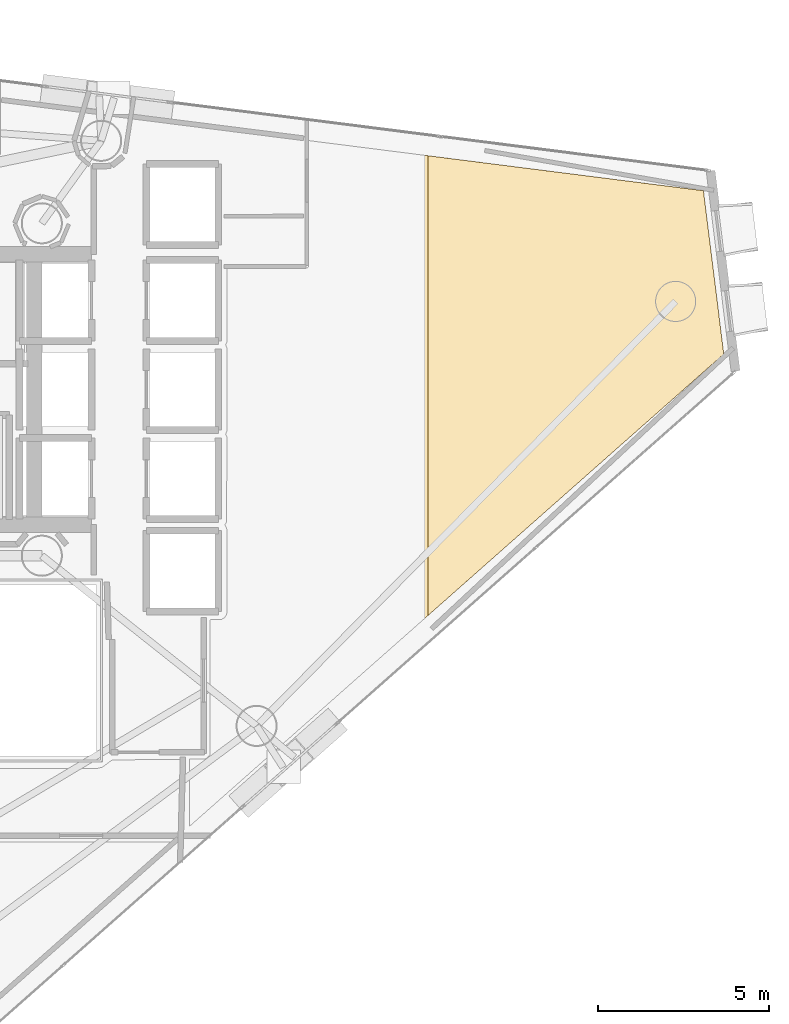
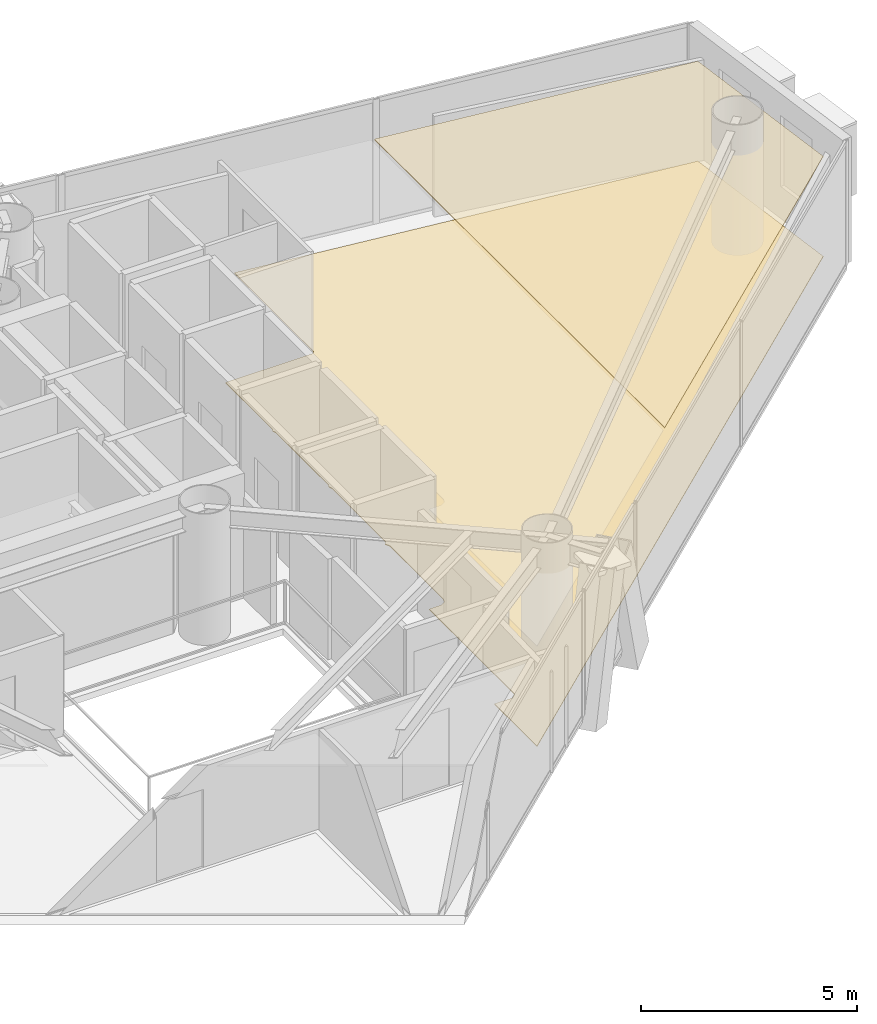
# One storey, part 23 of 23: 2 coverings.
"""IFC4 building model written with IfcOpenShell, lengths in metres."""

from ifc_helpers import new_model, si_unit, direction, frame, origin, place, context, subcontext, project, spatial, polyline, outline, extrude, material, layer, layer_set, type_object, element, save


model = new_model("IFC4")

# Units and contexts
model_context = context("Model", 3, precision=1e-05, world=origin(), true_north=direction((0.0, 1.0)))
body_context = subcontext(model_context, "Body", "Model", "MODEL_VIEW")
ifc_project = project(units=[si_unit("LENGTHUNIT", "METRE"), si_unit("AREAUNIT", "SQUARE_METRE"), si_unit("VOLUMEUNIT", "CUBIC_METRE"), si_unit("PLANEANGLEUNIT", "RADIAN"), si_unit("MASSUNIT", "GRAM", prefix="KILO")], contexts=[model_context])

# Site, building, storey
site_placement = place(None, origin())
site = spatial("IfcSite", under=ifc_project, at=site_placement, CompositionType="ELEMENT")
building_placement = place(site_placement, origin())
building = spatial("IfcBuilding", under=site, at=building_placement, Name="Qianvela Tower", CompositionType="ELEMENT")
storey_placement = place(building_placement, frame((0.0, 0.0, 218.800048828125)))
storey = spatial("IfcBuildingStorey", under=building, at=storey_placement, Name="L56", CompositionType="ELEMENT", Elevation=218.800048828125)

# Coverings
ifc_material_1 = material(Name="Perforated Mineral Acoustic Ceiling Tile")
ifc_layer_1 = layer(ifc_material_1, 0.02490234375)
ifc_layer_set_1 = layer_set([ifc_layer_1], Name="Perforated Mineral Acoustic Ceiling Tile")
covering_type_1 = type_object("IfcCoveringType", Name="COV-CEIL-ACOUSTIC-25", PredefinedType="CEILING", material=ifc_layer_set_1)
covering_1_placement = place(storey_placement, frame((0.0, 0.0, 2.81494140625)))
element("IfcCovering", 1, at=covering_1_placement, inside=storey, type_object=covering_type_1, Name="L56 Acoustic Ceiling Bay 2 Quiet Desk Workspace L56-03", PredefinedType="CEILING", context=body_context, shape_type="SweptSolid", body=[
    extrude(outline(polyline([(57.707763671875, 34.501708984375), (58.30126953125, 29.73388671875), (49.665283203125, 22.100830078125), (49.665283203125, 35.522216796875), (57.707763671875, 34.501708984375)])), origin(), (0.0, 0.0, 1.0), 0.02490234375),
])
ifc_material_2 = material(Name="Engineered Acoustic Oak Timber Flooring", Category="wood")
ifc_layer_2 = layer(ifc_material_2, 0.02001953125)
ifc_layer_set_2 = layer_set([ifc_layer_2], Name="Engineered Acoustic Oak Timber Flooring")
covering_type_2 = type_object("IfcCoveringType", Name="COV-FLOOR-OAK-20", PredefinedType="FLOORING", material=ifc_layer_set_2)
covering_2_placement = place(storey_placement, origin())
element("IfcCovering", 2, at=covering_2_placement, inside=storey, type_object=covering_type_2, Name="L56 Finish Flooring Quiet Desk Workspace L56-03", PredefinedType="FLOORING", context=body_context, shape_type="SweptSolid", body=[
    extrude(outline(polyline([(43.738525390625, 24.752197265625), (43.780517578125, 24.81494140625), (43.784423828125, 24.821533203125), (43.787841796875, 24.82861328125), (43.79052734375, 24.8359375), (43.79248046875, 24.843505859375), (43.793701171875, 24.851318359375), (43.7939453125, 24.859130859375), (43.800048828125, 27.2998046875), (43.799560546875, 27.307861328125), (43.79833984375, 27.315673828125), (43.79638671875, 27.323486328125), (43.793701171875, 27.3310546875), (43.7646484375, 27.39990234375), (43.793701171875, 27.468994140625), (43.79638671875, 27.476318359375), (43.79833984375, 27.484130859375), (43.799560546875, 27.491943359375), (43.800048828125, 27.5), (43.800048828125, 29.89990234375), (43.799560546875, 29.907958984375), (43.79833984375, 29.915771484375), (43.79638671875, 29.923583984375), (43.793701171875, 29.93115234375), (43.7646484375, 30.0), (43.793701171875, 30.06884765625), (43.79638671875, 30.076416015625), (43.79833984375, 30.084228515625), (43.799560546875, 30.092041015625), (43.800048828125, 30.10009765625), (43.800048828125, 32.238037109375), (46.1044921875, 32.238037109375), (46.1123046875, 32.23828125), (46.1201171875, 32.239501953125), (46.127685546875, 32.241455078125), (46.135009765625, 32.244140625), (46.14208984375, 32.247314453125), (46.148681640625, 32.25146484375), (46.155029296875, 32.256103515625), (46.160888671875, 32.261474609375), (46.166259765625, 32.26708984375), (46.1708984375, 32.2734375), (46.1748046875, 32.2802734375), (46.17822265625, 32.287353515625), (46.180908203125, 32.294921875), (46.182861328125, 32.302490234375), (46.18408203125, 32.31005859375), (46.184326171875, 32.318115234375), (46.18603515625, 35.9638671875), (57.707763671875, 34.501708984375), (58.30126953125, 29.73388671875), (42.709716796875, 15.952880859375), (42.70751953125, 17.920166015625), (43.157958984375, 17.92041015625), (43.165771484375, 17.9208984375), (43.173583984375, 17.921875), (43.18115234375, 17.923828125), (43.1884765625, 17.926513671875), (43.195556640625, 17.9296875), (43.202392578125, 17.933837890625), (43.20849609375, 17.9384765625), (43.21435546875, 17.94384765625), (43.2861328125, 18.015625), (43.29150390625, 18.021484375), (43.296142578125, 18.027587890625), (43.30029296875, 18.034423828125), (43.303466796875, 18.04150390625), (43.30615234375, 18.048828125), (43.30810546875, 18.056640625), (43.30908203125, 18.064208984375), (43.3095703125, 18.072265625), (43.309326171875, 21.980712890625), (43.60791015625, 21.982666015625), (43.615478515625, 21.983154296875), (43.623291015625, 21.984375), (43.630859375, 21.986083984375), (43.637939453125, 21.98876953125), (43.64501953125, 21.9921875), (43.716796875, 22.030517578125), (43.723388671875, 22.034423828125), (43.729736328125, 22.039306640625), (43.735595703125, 22.04443359375), (43.74072265625, 22.05029296875), (43.74560546875, 22.056640625), (43.74951171875, 22.063232421875), (43.787841796875, 22.135009765625), (43.791259765625, 22.14208984375), (43.7939453125, 22.1494140625), (43.7958984375, 22.156982421875), (43.796875, 22.164794921875), (43.79736328125, 22.172607421875), (43.79931640625, 24.61376953125), (43.799072265625, 24.62060546875), (43.798095703125, 24.627685546875), (43.79638671875, 24.634765625), (43.79443359375, 24.641357421875), (43.79150390625, 24.64794921875), (43.751220703125, 24.733154296875), (43.74755859375, 24.739990234375), (43.743408203125, 24.74658203125), (43.738525390625, 24.752197265625)])), origin(), (0.0, 0.0, 1.0), 0.02001953125),
])

save(model, "model.ifc")
